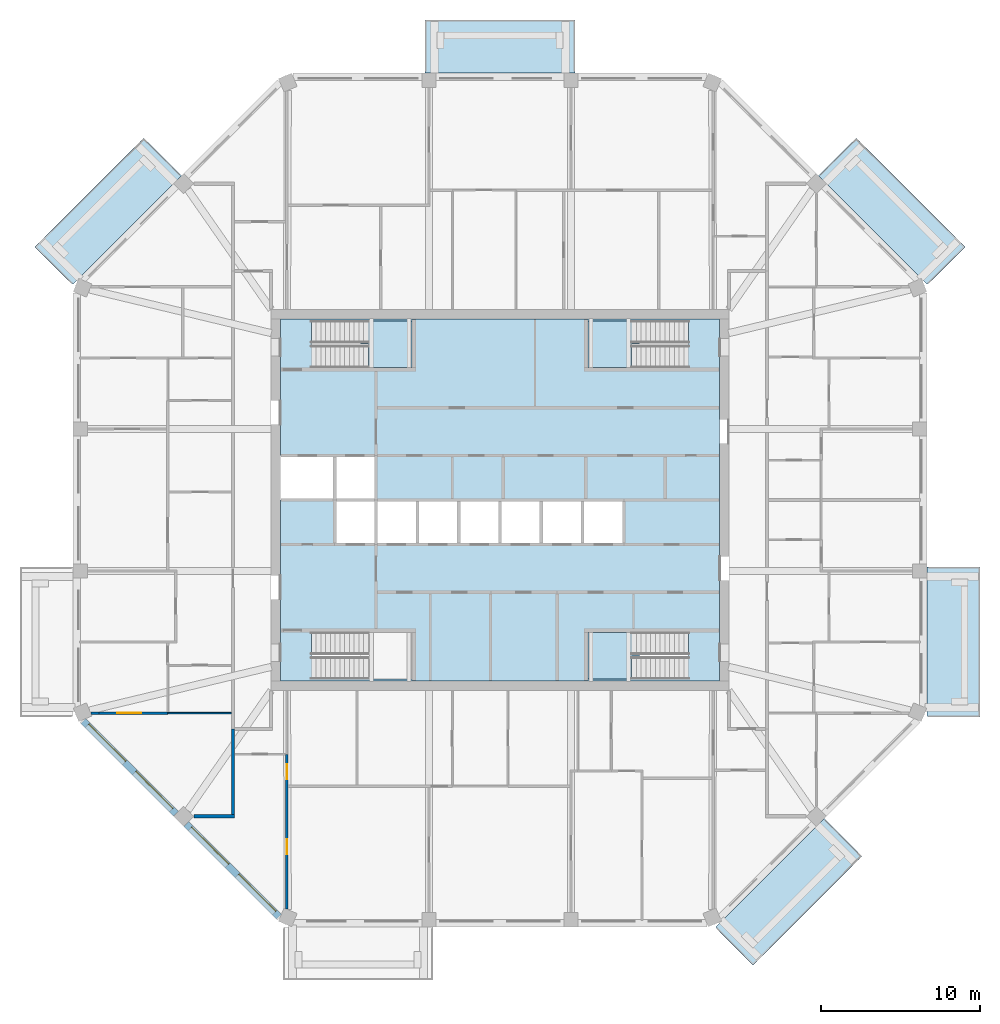
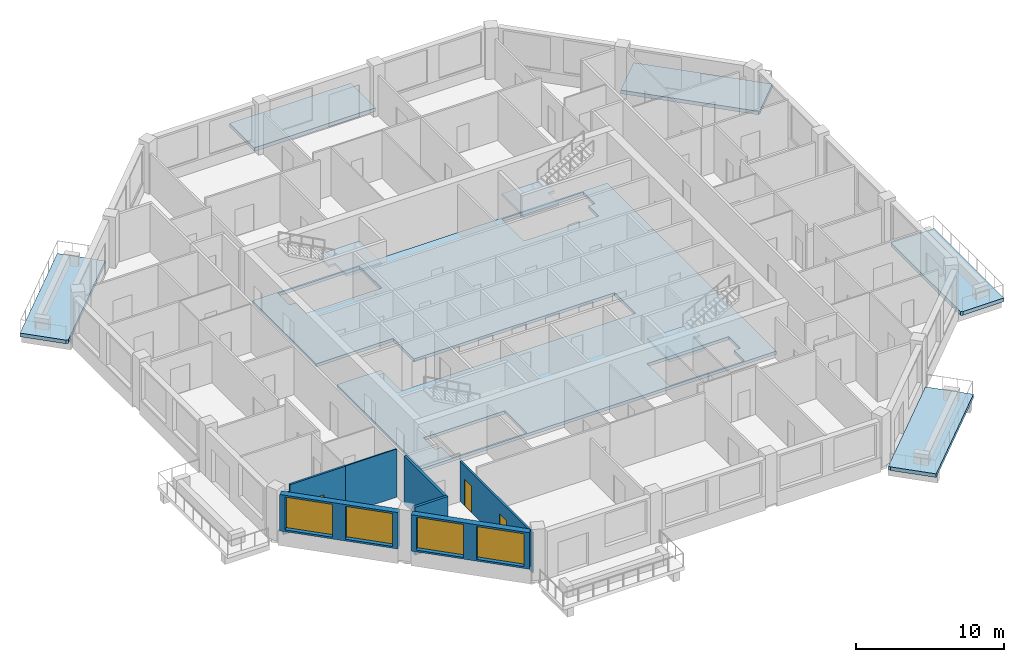
# One storey, part 2 of 11: 9 slabs, 8 walls, 4 windows, 3 doors, 7 openings, 3 elements without a shape of their own.
"""IFC4 building model written with IfcOpenShell, lengths in metres."""

import ifcopenshell
import ifcopenshell.guid

model = None  # the IFC model being written
_history = None  # IfcOwnerHistory: only IFC2X3 demands one
_inside = {}  # id of a spatial element -> (the spatial element, [elements in it])
_under = {}  # id of a project, library or spatial element -> (it, [spatial elements below it])
_declared = {}  # id of a project -> (the project, [libraries it declares])
_typed = {}  # id of a type object -> (the type object, [elements of that type])
_made_of = {}  # id of a material, layer set ... -> (it, [elements and type objects made of it])


def new_model(schema):
    """Start an empty IFC model of exactly this schema.

    Asked for "IFC4X3", IfcOpenShell would pick the latest addendum, in which some entities
    have other attributes; the version numbers below select the first issue.
    IFC2X3 requires an IfcOwnerHistory on every rooted entity: one is made here for all.
    """
    global model, _history
    if schema == "IFC4X3":
        model = ifcopenshell.file(schema_version=(4, 3, 0, 0))
    else:
        model = ifcopenshell.file(schema=schema)
    _inside.clear()
    _under.clear()
    _declared.clear()
    _typed.clear()
    _made_of.clear()
    _history = None
    if model.schema == "IFC2X3":
        org = make("IfcOrganization", Name="unknown")
        user = make(
            "IfcPersonAndOrganization",
            ThePerson=make("IfcPerson", FamilyName="unknown"),
            TheOrganization=org,
        )
        app = make(
            "IfcApplication",
            ApplicationDeveloper=org,
            Version="unknown",
            ApplicationFullName="unknown",
            ApplicationIdentifier="unknown",
        )
        _history = make(
            "IfcOwnerHistory",
            OwningUser=user,
            OwningApplication=app,
            ChangeAction="ADDED",
            CreationDate=0,
        )
    return model


def make(cls, **values):
    """One entity of the class cls with the attributes given. An attribute that is None is left unset."""
    return model.create_entity(
        cls, **{name: value for name, value in values.items() if value is not None}
    )


def rooted(cls, **values):
    """An entity with a GlobalId (a new one), such as an element, a storey or a relation."""
    return make(cls, GlobalId=ifcopenshell.guid.new(), OwnerHistory=_history, **values)


def si_unit(unit_type, name, prefix=None):
    """IfcSIUnit, for example si_unit("LENGTHUNIT", "METRE", prefix="MILLI")."""
    return make("IfcSIUnit", UnitType=unit_type, Prefix=prefix, Name=name)


def assignment(units):
    """IfcUnitAssignment: the units of a project."""
    return None if units is None else make("IfcUnitAssignment", Units=units)


def point(xyz):
    """IfcCartesianPoint."""
    return None if xyz is None else make("IfcCartesianPoint", Coordinates=xyz)


def direction(xyz):
    """IfcDirection."""
    return None if xyz is None else make("IfcDirection", DirectionRatios=xyz)


def frame(location, z_axis=None, x_axis=None):
    """IfcAxis2Placement3D, a coordinate frame: its origin and axes. An axis left out is left unset."""
    return make(
        "IfcAxis2Placement3D",
        Location=point(location),
        Axis=direction(z_axis),
        RefDirection=direction(x_axis),
    )


def frame_2d(location, x_axis=None):
    """IfcAxis2Placement2D, a coordinate frame in the plane: its origin and x axis."""
    return make(
        "IfcAxis2Placement2D", Location=point(location), RefDirection=direction(x_axis)
    )


def origin():
    """The frame at (0, 0, 0) with its axes left unset."""
    return frame((0.0, 0.0, 0.0))


def place(relative_to, where):
    """IfcLocalPlacement: puts the frame where relative to a parent placement (None: the world)."""
    return make(
        "IfcLocalPlacement", PlacementRelTo=relative_to, RelativePlacement=where
    )


def context(
    kind, dimensions, precision=None, world=None, true_north=None, identifier=None
):
    """IfcGeometricRepresentationContext, for example the 3D "Model" context."""
    return make(
        "IfcGeometricRepresentationContext",
        ContextIdentifier=identifier,
        ContextType=kind,
        CoordinateSpaceDimension=dimensions,
        Precision=precision,
        WorldCoordinateSystem=world,
        TrueNorth=true_north,
    )


def subcontext(parent, identifier, kind, view, scale=None):
    """IfcGeometricRepresentationSubContext, for example "Body" below "Model"."""
    return make(
        "IfcGeometricRepresentationSubContext",
        ContextIdentifier=identifier,
        ContextType=kind,
        ParentContext=parent,
        TargetScale=scale,
        TargetView=view,
    )


def project(units=None, contexts=None):
    """IfcProject with its units and contexts."""
    return rooted(
        "IfcProject",
        Name="project",
        RepresentationContexts=contexts,
        UnitsInContext=assignment(units),
    )


def spatial(cls, under=None, at=None, **own):
    """A site, building, storey or space (cls), placed at a placement, below another one or the project."""
    s = rooted(cls, ObjectPlacement=at, **own)
    if under is not None:
        _under.setdefault(under.id(), (under, []))[1].append(s)
    return s


def polyline(points):
    """IfcPolyline through the points."""
    return make("IfcPolyline", Points=[point(p) for p in points])


def profile(cls, at=None, kind="AREA", **sizes):
    """A parametric profile (cls). Its sizes go by their IFC names, for example OverallWidth=200.0."""
    return make(cls, ProfileType=kind, Position=at, **sizes)


def rectangle(**sizes):
    """IfcRectangleProfileDef."""
    return profile("IfcRectangleProfileDef", **sizes)


def outline(outer, holes=None, kind="AREA"):
    """IfcArbitraryClosedProfileDef: a profile drawn as a closed curve; with holes, ...WithVoids."""
    if holes is None:
        return make("IfcArbitraryClosedProfileDef", ProfileType=kind, OuterCurve=outer)
    return make(
        "IfcArbitraryProfileDefWithVoids",
        ProfileType=kind,
        OuterCurve=outer,
        InnerCurves=holes,
    )


def extrude(swept, where, along, depth):
    """IfcExtrudedAreaSolid: the profile swept, set in the frame where, extruded along a direction by depth."""
    return make(
        "IfcExtrudedAreaSolid",
        SweptArea=swept,
        Position=where,
        ExtrudedDirection=direction(along),
        Depth=depth,
    )


def shape(context_of_items, identifier, shape_type, items):
    """IfcShapeRepresentation: the items that make up one representation, for example the "Body"."""
    return make(
        "IfcShapeRepresentation",
        ContextOfItems=context_of_items,
        RepresentationIdentifier=identifier,
        RepresentationType=shape_type,
        Items=items,
    )


def material(Name=None, Category=None):
    """IfcMaterial."""
    return make("IfcMaterial", Name=Name, Category=Category)


def layer(
    of_material, thickness, ventilated=None, Name=None, Category=None, Priority=None
):
    """IfcMaterialLayer: one layer of a wall or slab, of a material (None: an air gap)."""
    return make(
        "IfcMaterialLayer",
        Material=of_material,
        LayerThickness=thickness,
        IsVentilated=ventilated,
        Name=Name,
        Category=Category,
        Priority=Priority,
    )


def layer_set(layers, Name=None):
    """IfcMaterialLayerSet."""
    return make("IfcMaterialLayerSet", MaterialLayers=layers, LayerSetName=Name)


def made_of(thing, what):
    """Note that an element or type object is made of a material, layer set ...; save() writes the relation."""
    if what is not None:
        _made_of.setdefault(what.id(), (what, []))[1].append(thing)
    return thing


def type_object(cls, material=None, **own):
    """A type object (cls), such as IfcWallType, which elements share."""
    return made_of(rooted(cls, **own), material)


def element(
    cls,
    number,
    at=None,
    inside=None,
    cuts=None,
    type_object=None,
    material=None,
    context=None,
    identifier="Body",
    shape_type=None,
    held_by="IfcProductDefinitionShape",
    body=None,
    shapes=None,
    **own,
):
    """One element of the class cls, such as IfcWall. Its Tag is "e" and its number.

    at: its placement. inside: the storey or other place that contains it. cuts: it is an
    opening in that element (IfcRelVoidsElement). A single representation is given by context,
    identifier, shape_type and body (its items); several are given by shapes. held_by: the class
    of the entity that holds the representations. save() writes the other relations.
    """
    e = rooted(cls, Tag="e%d" % number, ObjectPlacement=at, **own)
    if body is not None:
        shapes = [shape(context, identifier, shape_type, body)]
    if shapes is not None:
        e.Representation = make(held_by, Representations=shapes)
    if inside is not None:
        _inside.setdefault(inside.id(), (inside, []))[1].append(e)
    if cuts is not None:
        rooted(
            "IfcRelVoidsElement", RelatingBuildingElement=cuts, RelatedOpeningElement=e
        )
    if type_object is not None:
        _typed.setdefault(type_object.id(), (type_object, []))[1].append(e)
    return made_of(e, material)


def fill(opening, filler):
    """IfcRelFillsElement: the door or window that sits in an opening."""
    return rooted(
        "IfcRelFillsElement",
        RelatingOpeningElement=opening,
        RelatedBuildingElement=filler,
    )


def aggregate(whole, parts):
    """IfcRelAggregates: a whole, such as a stair, and the parts it consists of."""
    return rooted("IfcRelAggregates", RelatingObject=whole, RelatedObjects=parts)


def save(model, path):
    """Write the relations noted so far, then the file.

    IfcRelAggregates (storeys below a building ...), IfcRelContainedInSpatialStructure (elements
    in a storey), IfcRelDefinesByType, IfcRelAssociatesMaterial and IfcRelDeclares: one each for
    every whole, place, type object, material and project.
    """
    for whole, parts in _under.values():
        aggregate(whole, parts)
    for where, things in _inside.values():
        rooted(
            "IfcRelContainedInSpatialStructure",
            RelatedElements=things,
            RelatingStructure=where,
        )
    for kind, things in _typed.values():
        rooted("IfcRelDefinesByType", RelatedObjects=things, RelatingType=kind)
    for what, things in _made_of.values():
        rooted("IfcRelAssociatesMaterial", RelatedObjects=things, RelatingMaterial=what)
    for by, libraries in _declared.values():
        rooted("IfcRelDeclares", RelatingContext=by, RelatedDefinitions=libraries)
    model.write(path)


model = new_model("IFC4")

# Units and contexts
model_context = context("Model", 3, precision=1e-05, world=origin(), true_north=direction((0.0, 1.0)))
body_context = subcontext(model_context, "Body", "Model", "MODEL_VIEW")
ifc_project = project(units=[si_unit("LENGTHUNIT", "METRE"), si_unit("AREAUNIT", "SQUARE_METRE"), si_unit("VOLUMEUNIT", "CUBIC_METRE"), si_unit("PLANEANGLEUNIT", "RADIAN"), si_unit("MASSUNIT", "GRAM", prefix="KILO")], contexts=[model_context])

# Site, building, storey
site_placement = place(None, origin())
site = spatial("IfcSite", under=ifc_project, at=site_placement, CompositionType="ELEMENT")
building_placement = place(site_placement, origin())
building = spatial("IfcBuilding", under=site, at=building_placement, Name="Msitu Wima Residences", CompositionType="ELEMENT")
storey_placement = place(building_placement, frame((0.0, 0.0, 268.5)))
storey = spatial("IfcBuildingStorey", under=building, at=storey_placement, Name="L62", CompositionType="ELEMENT", Elevation=268.5)

# Slabs
ifc_material_1 = material(Name="Concrete C40/50", Category="concrete")
ifc_layer_1 = layer(ifc_material_1, 0.300048828125)
ifc_layer_set_1 = layer_set([ifc_layer_1], Name="Concrete C40/50")
slab_type_1 = type_object("IfcSlabType", Name="Balcony slab BS300", PredefinedType="FLOOR", material=ifc_layer_set_1)
slab_1_placement = place(storey_placement, frame((0.0, 0.0, -0.300048828125)))
element("IfcSlab", 1, at=slab_1_placement, inside=storey, type_object=slab_type_1, Name="Balcony E0 L62", PredefinedType="FLOOR", context=body_context, shape_type="SweptSolid", body=[
    extrude(outline(polyline([(26.85009765625, -13.105224609375), (26.85009765625, -13.105224609375), (26.85009765625, -4.918701171875), (26.85009765625, -4.21875), (30.199951171875, -4.21875), (30.199951171875, -13.656005859375), (27.003662109375, -13.656005859375), (26.85009765625, -13.59228515625), (26.85009765625, -13.105224609375), (26.85009765625, -13.105224609375)])), origin(), (0.0, 0.0, 1.0), 0.300048828125),
])
slab_2_placement = place(storey_placement, frame((0.0, 0.0, -0.300048828125)))
element("IfcSlab", 2, at=slab_2_placement, inside=storey, type_object=slab_type_1, Name="Balcony NE0 L62", PredefinedType="FLOOR", context=body_context, shape_type="SweptSolid", body=[
    extrude(outline(polyline([(26.505615234375, 13.936767578125), (26.505615234375, 13.936767578125), (20.04443359375, 20.39794921875), (22.4130859375, 22.766845703125), (29.263671875, 15.916015625), (27.003662109375, 13.656005859375), (26.85009765625, 13.59228515625), (26.505615234375, 13.936767578125), (26.505615234375, 13.936767578125)])), origin(), (0.0, 0.0, 1.0), 0.300048828125),
])
slab_3_placement = place(storey_placement, frame((0.0, 0.0, -0.300048828125)))
element("IfcSlab", 3, at=slab_3_placement, inside=storey, type_object=slab_type_1, Name="Balcony N1 L62", PredefinedType="FLOOR", context=body_context, shape_type="SweptSolid", body=[
    extrude(outline(polyline([(4.0185546875, 26.85009765625), (-4.0185546875, 26.85009765625), (-4.71875, 26.85009765625), (-4.71875, 30.199951171875), (4.71875, 30.199951171875), (4.71875, 26.85009765625), (4.0185546875, 26.85009765625)])), origin(), (0.0, 0.0, 1.0), 0.300048828125),
])
slab_4_placement = place(storey_placement, frame((0.0, 0.0, -0.300048828125)))
element("IfcSlab", 4, at=slab_4_placement, inside=storey, type_object=slab_type_1, Name="Balcony NW1 L62", PredefinedType="FLOOR", context=body_context, shape_type="SweptSolid", body=[
    extrude(outline(polyline([(-26.505615234375, 13.936767578125), (-26.505615234375, 13.936767578125), (-26.85009765625, 13.59228515625), (-27.003662109375, 13.656005859375), (-29.263671875, 15.916015625), (-22.4130859375, 22.766845703125), (-20.04443359375, 20.39794921875), (-26.505615234375, 13.936767578125), (-26.505615234375, 13.936767578125)])), origin(), (0.0, 0.0, 1.0), 0.300048828125),
])
slab_5_placement = place(storey_placement, frame((0.0, 0.0, -0.300048828125)))
element("IfcSlab", 5, at=slab_5_placement, inside=storey, type_object=slab_type_1, Name="Balcony SE0 L62", PredefinedType="FLOOR", context=body_context, shape_type="SweptSolid", body=[
    extrude(outline(polyline([(13.936767578125, -26.505615234375), (13.936767578125, -26.505615234375), (20.39794921875, -20.04443359375), (22.766845703125, -22.4130859375), (15.916015625, -29.263671875), (13.656005859375, -27.003662109375), (13.59228515625, -26.85009765625), (13.936767578125, -26.505615234375), (13.936767578125, -26.505615234375)])), origin(), (0.0, 0.0, 1.0), 0.300048828125),
])
ifc_layer_2 = layer(ifc_material_1, 0.25)
ifc_layer_set_2 = layer_set([ifc_layer_2], Name="Concrete C40/50")
slab_type_2 = type_object("IfcSlabType", Name="Core floor CF250", PredefinedType="FLOOR", material=ifc_layer_set_2)
slab_6_placement = place(storey_placement, frame((0.0, 0.0, -0.25)))
element("IfcSlab", 6, at=slab_6_placement, inside=storey, type_object=slab_type_2, Name="Core floor", PredefinedType="FLOOR", context=body_context, shape_type="SweptSolid", body=[
    extrude(outline(polyline([(-13.800048828125, 11.39990234375), (-13.800048828125, 2.800048828125), (-10.39990234375, 2.800048828125), (-7.800048828125, 2.800048828125), (-7.800048828125, 0.0), (-5.199951171875, 0.0), (-2.60009765625, 0.0), (0.0, 0.0), (2.60009765625, 0.0), (5.199951171875, 0.0), (7.800048828125, 0.0), (7.800048828125, -2.800048828125), (5.199951171875, -2.800048828125), (2.60009765625, -2.800048828125), (0.0, -2.800048828125), (-2.60009765625, -2.800048828125), (-5.199951171875, -2.800048828125), (-7.800048828125, -2.800048828125), (-10.39990234375, -2.800048828125), (-10.39990234375, 0.0), (-13.800048828125, 0.0), (-13.800048828125, -11.39990234375), (13.800048828125, -11.39990234375), (13.800048828125, 11.39990234375), (-13.800048828125, 11.39990234375)]), holes=[polyline([(-11.375, -11.27490234375), (-11.375, -9.875), (-11.87451171875, -9.875), (-11.87451171875, -8.324951171875), (-5.52490234375, -8.324951171875), (-5.52490234375, -11.27490234375), (-11.375, -11.27490234375)]), polyline([(-11.375, 8.324951171875), (-11.375, 9.72509765625), (-11.87451171875, 9.72509765625), (-11.87451171875, 11.27490234375), (-5.52490234375, 11.27490234375), (-5.52490234375, 8.324951171875), (-11.375, 8.324951171875)]), polyline([(11.375, -9.875), (11.375, -11.27490234375), (5.52490234375, -11.27490234375), (5.52490234375, -8.324951171875), (11.87451171875, -8.324951171875), (11.87451171875, -9.875), (11.375, -9.875)]), polyline([(11.375, 9.72509765625), (11.375, 8.324951171875), (5.52490234375, 8.324951171875), (5.52490234375, 11.27490234375), (11.87451171875, 11.27490234375), (11.87451171875, 9.72509765625), (11.375, 9.72509765625)])]), origin(), (0.0, 0.0, 1.0), 0.25),
])

# Stair, slab
stair_type = type_object("IfcStairType", Name="Exit stair ES1615-140", PredefinedType="HALF_TURN_STAIR", material=ifc_material_1)
stair_1_placement = place(storey_placement, origin())
stair_1 = element("IfcStair", 7, at=stair_1_placement, inside=storey, type_object=stair_type, Name="Exit stair 1", PredefinedType="HALF_TURN_STAIR")
ifc_layer_3 = layer(ifc_material_1, 0.199951171875)
ifc_layer_set_3 = layer_set([ifc_layer_3], Name="Concrete C40/50")
slab_type_3 = type_object("IfcSlabType", Name="Stair landing SL200", PredefinedType="LANDING", material=ifc_layer_set_3)
slab_7_placement = place(storey_placement, frame((0.0, 0.0, 1.89990234375)))
slab_7 = element("IfcSlab", 8, at=slab_7_placement, type_object=slab_type_3, Name="S1 landing 1", PredefinedType="LANDING", context=body_context, shape_type="SweptSolid", body=[
    extrude(outline(polyline([(-5.52490234375, 8.324951171875), (-8.275390625, 8.324951171875), (-8.275390625, 9.800048828125), (-8.77490234375, 9.800048828125), (-8.77490234375, 11.27490234375), (-5.52490234375, 11.27490234375), (-5.52490234375, 8.324951171875)])), origin(), (0.0, 0.0, 1.0), 0.2001953125),
])
aggregate(stair_1, [slab_7])

stair_2_placement = place(storey_placement, origin())
stair_2 = element("IfcStair", 9, at=stair_2_placement, inside=storey, type_object=stair_type, Name="Exit stair 3", PredefinedType="HALF_TURN_STAIR")
slab_8_placement = place(storey_placement, frame((0.0, 0.0, 1.89990234375)))
slab_8 = element("IfcSlab", 10, at=slab_8_placement, type_object=slab_type_3, Name="S3 landing 1", PredefinedType="LANDING", context=body_context, shape_type="SweptSolid", body=[
    extrude(outline(polyline([(5.52490234375, 8.324951171875), (8.275390625, 8.324951171875), (8.275390625, 9.800048828125), (8.77490234375, 9.800048828125), (8.77490234375, 11.27490234375), (5.52490234375, 11.27490234375), (5.52490234375, 8.324951171875)])), origin(), (0.0, 0.0, 1.0), 0.2001953125),
])
aggregate(stair_2, [slab_8])

stair_3_placement = place(storey_placement, origin())
stair_3 = element("IfcStair", 11, at=stair_3_placement, inside=storey, type_object=stair_type, Name="Exit stair 4", PredefinedType="HALF_TURN_STAIR")
slab_9_placement = place(storey_placement, frame((0.0, 0.0, 1.89990234375)))
slab_9 = element("IfcSlab", 12, at=slab_9_placement, type_object=slab_type_3, Name="S4 landing 1", PredefinedType="LANDING", context=body_context, shape_type="SweptSolid", body=[
    extrude(outline(polyline([(5.52490234375, -11.27490234375), (8.275390625, -11.27490234375), (8.275390625, -9.800048828125), (8.77490234375, -9.800048828125), (8.77490234375, -8.324951171875), (5.52490234375, -8.324951171875), (5.52490234375, -11.27490234375)])), origin(), (0.0, 0.0, 1.0), 0.2001953125),
])
aggregate(stair_3, [slab_9])

# Wall, openings, windows
ifc_material_2 = material(Name="Brick (red buff mix)", Category="masonry")
ifc_layer_4 = layer(ifc_material_2, 0.449951171875)
ifc_layer_set_4 = layer_set([ifc_layer_4], Name="Brick (red buff mix)")
wall_type_1 = type_object("IfcWallType", Name="Brick infill wall BW450", PredefinedType="SOLIDWALL", material=ifc_layer_set_4)
wall_1_placement = place(storey_placement, frame((-26.214599609375, -13.909423828125, 0.89990234375), z_axis=(0.0, 0.0, 1.0), x_axis=(0.707106781187, -0.707106781187, 0.0)))
wall_1 = element("IfcWall", 13, at=wall_1_placement, inside=storey, type_object=wall_type_1, Name="Brick infill wall L62 SW0", PredefinedType="SOLIDWALL", context=body_context, shape_type="SweptSolid", body=[
    extrude(rectangle(XDim=8.251220703125, YDim=0.449951171875, at=frame_2d((4.12548828125, 0.0))), origin(), (0.0, 0.0, 1.0), 3.0),
])
opening_1_placement = place(wall_1_placement, frame((0.37548828125, 0.0, 0.14990234375)))
opening_1 = element("IfcOpeningElement", 14, at=opening_1_placement, cuts=wall_1, Name="Opening W60-62.025", PredefinedType="OPENING", context=body_context, shape_type="SweptSolid", body=[
    extrude(rectangle(XDim=3.300048828125, YDim=2.699951171875, at=frame_2d((1.64990234375, 1.35009765625))), frame((0.0, 0.23486328125, 0.0), z_axis=(0.0, -1.0, 0.0), x_axis=(1.0, 0.0, 0.0)), (0.0, 0.0, 1.0), 0.469970703125),
])
opening_2_placement = place(wall_1_placement, frame((4.57568359375, 0.0, 0.14990234375)))
opening_2 = element("IfcOpeningElement", 15, at=opening_2_placement, cuts=wall_1, Name="Opening W60-62.026", PredefinedType="OPENING", context=body_context, shape_type="SweptSolid", body=[
    extrude(rectangle(XDim=3.300048828125, YDim=2.699951171875, at=frame_2d((1.64990234375, 1.35009765625))), frame((0.0, 0.23486328125, 0.0), z_axis=(0.0, -1.0, 0.0), x_axis=(1.0, 0.0, 0.0)), (0.0, 0.0, 1.0), 0.469970703125),
])
ifc_material_3 = material(Name="Anodised aluminium, bronze finish, clear low-emissivity double glazing", Category="aluminium")
window_type = type_object("IfcWindowType", Name="Window W3300x2700", PartitioningType="DOUBLE_PANEL_VERTICAL", PredefinedType="WINDOW", material=ifc_material_3)
window_1_placement = place(opening_1_placement, origin())
window_1 = element("IfcWindow", 16, at=window_1_placement, inside=storey, type_object=window_type, Name="Window L62 SW0.1", OverallHeight=2.699951171875, OverallWidth=3.300048828125, PartitioningType="SINGLE_PANEL", PredefinedType="WINDOW", context=body_context, shape_type="SweptSolid", body=[
    extrude(rectangle(XDim=3.300048828125, YDim=2.699951171875, at=frame_2d((1.64990234375, 1.35009765625))), frame((0.0, 0.135009765625, 0.0), z_axis=(0.0, -1.0, 0.0), x_axis=(1.0, 0.0, 0.0)), (0.0, 0.0, 1.0), 0.06005859375),
])
fill(opening_1, window_1)
window_2_placement = place(opening_2_placement, origin())
window_2 = element("IfcWindow", 17, at=window_2_placement, inside=storey, type_object=window_type, Name="Window L62 SW0.2", OverallHeight=2.699951171875, OverallWidth=3.300048828125, PartitioningType="SINGLE_PANEL", PredefinedType="WINDOW", context=body_context, shape_type="SweptSolid", body=[
    extrude(rectangle(XDim=3.300048828125, YDim=2.699951171875, at=frame_2d((1.64990234375, 1.35009765625))), frame((0.0, 0.135009765625, 0.0), z_axis=(0.0, -1.0, 0.0), x_axis=(1.0, 0.0, 0.0)), (0.0, 0.0, 1.0), 0.06005859375),
])
fill(opening_2, window_2)

wall_2_placement = place(storey_placement, frame((-19.743896484375, -20.380126953125, 0.89990234375), z_axis=(0.0, 0.0, 1.0), x_axis=(0.707106781187, -0.707106781187, 0.0)))
wall_2 = element("IfcWall", 18, at=wall_2_placement, inside=storey, type_object=wall_type_1, Name="Brick infill wall L62 SW1", PredefinedType="SOLIDWALL", context=body_context, shape_type="SweptSolid", body=[
    extrude(rectangle(XDim=8.251220703125, YDim=0.449951171875, at=frame_2d((4.12548828125, 0.0))), origin(), (0.0, 0.0, 1.0), 3.0),
])
opening_3_placement = place(wall_2_placement, frame((0.37548828125, 0.0, 0.14990234375)))
opening_3 = element("IfcOpeningElement", 19, at=opening_3_placement, cuts=wall_2, Name="Opening W60-62.027", PredefinedType="OPENING", context=body_context, shape_type="SweptSolid", body=[
    extrude(rectangle(XDim=3.300048828125, YDim=2.699951171875, at=frame_2d((1.64990234375, 1.35009765625))), frame((0.0, 0.23486328125, 0.0), z_axis=(0.0, -1.0, 0.0), x_axis=(1.0, 0.0, 0.0)), (0.0, 0.0, 1.0), 0.469970703125),
])
opening_4_placement = place(wall_2_placement, frame((4.57568359375, 0.0, 0.14990234375)))
opening_4 = element("IfcOpeningElement", 20, at=opening_4_placement, cuts=wall_2, Name="Opening W60-62.028", PredefinedType="OPENING", context=body_context, shape_type="SweptSolid", body=[
    extrude(rectangle(XDim=3.300048828125, YDim=2.699951171875, at=frame_2d((1.64990234375, 1.35009765625))), frame((0.0, 0.23486328125, 0.0), z_axis=(0.0, -1.0, 0.0), x_axis=(1.0, 0.0, 0.0)), (0.0, 0.0, 1.0), 0.469970703125),
])
window_3_placement = place(opening_3_placement, origin())
window_3 = element("IfcWindow", 21, at=window_3_placement, inside=storey, type_object=window_type, Name="Window L62 SW1.1", OverallHeight=2.699951171875, OverallWidth=3.300048828125, PartitioningType="SINGLE_PANEL", PredefinedType="WINDOW", context=body_context, shape_type="SweptSolid", body=[
    extrude(rectangle(XDim=3.300048828125, YDim=2.699951171875, at=frame_2d((1.64990234375, 1.35009765625))), frame((0.0, 0.135009765625, 0.0), z_axis=(0.0, -1.0, 0.0), x_axis=(1.0, 0.0, 0.0)), (0.0, 0.0, 1.0), 0.06005859375),
])
fill(opening_3, window_3)
window_4_placement = place(opening_4_placement, origin())
window_4 = element("IfcWindow", 22, at=window_4_placement, inside=storey, type_object=window_type, Name="Window L62 SW1.2", OverallHeight=2.699951171875, OverallWidth=3.300048828125, PartitioningType="SINGLE_PANEL", PredefinedType="WINDOW", context=body_context, shape_type="SweptSolid", body=[
    extrude(rectangle(XDim=3.300048828125, YDim=2.699951171875, at=frame_2d((1.64990234375, 1.35009765625))), frame((0.0, 0.135009765625, 0.0), z_axis=(0.0, -1.0, 0.0), x_axis=(1.0, 0.0, 0.0)), (0.0, 0.0, 1.0), 0.06005859375),
])
fill(opening_4, window_4)

# Wall
ifc_material_4 = material(Name="Plaster")
ifc_layer_5 = layer(ifc_material_4, 0.011962890625, Name="Plaster")
ifc_material_5 = material(Name="Concrete blockwork", Category="masonry")
ifc_layer_6 = layer(ifc_material_5, 0.1259765625, Name="Concrete blockwork")
ifc_layer_7 = layer(ifc_material_4, 0.011962890625, Name="Plaster")
ifc_layer_set_5 = layer_set([ifc_layer_5, ifc_layer_6, ifc_layer_7], Name="Concrete blockwork")
wall_type_2 = type_object("IfcWallType", Name="Partition PW150", PredefinedType="PARTITIONING", material=ifc_layer_set_5)
wall_3_placement = place(storey_placement, frame((-25.731201171875, -13.406005859375, 0.0), z_axis=(0.0, 0.0, 1.0), x_axis=(1.0, 0.0, 0.0)))
element("IfcWall", 23, at=wall_3_placement, inside=storey, type_object=wall_type_2, Name="Partition", PredefinedType="PARTITIONING", context=body_context, shape_type="SweptSolid", body=[
    extrude(rectangle(XDim=0.507080078125, YDim=0.14990234375, at=frame_2d((0.25341796875, 0.0))), origin(), (0.0, 0.0, 1.0), 3.35009765625),
])

# Wall, opening, door
wall_4_placement = place(storey_placement, frame((-25.22412109375, -13.406005859375, 0.0), z_axis=(0.0, 0.0, 1.0), x_axis=(1.0, 0.0, 0.0)))
wall_4 = element("IfcWall", 24, at=wall_4_placement, inside=storey, type_object=wall_type_2, Name="Partition", PredefinedType="PARTITIONING", context=body_context, shape_type="SweptSolid", body=[
    extrude(rectangle(XDim=4.32421875, YDim=0.14990234375, at=frame_2d((2.162109375, 0.0))), origin(), (0.0, 0.0, 1.0), 3.949951171875),
])
opening_5_placement = place(wall_4_placement, frame((1.142822265625, 0.0, 0.0)))
opening_5 = element("IfcOpeningElement", 25, at=opening_5_placement, cuts=wall_4, Name="Opening D60-62.047", PredefinedType="OPENING", context=body_context, shape_type="SweptSolid", body=[
    extrude(rectangle(XDim=1.5, YDim=2.199951171875, at=frame_2d((0.75, 1.10009765625))), frame((0.0, 0.0849609375, 0.0), z_axis=(0.0, -1.0, 0.0), x_axis=(1.0, 0.0, 0.0)), (0.0, 0.0, 1.0), 0.169921875),
])
ifc_material_6 = material(Name="Timber double door", Category="wood")
door_type_1 = type_object("IfcDoorType", Name="Double door D04 1500x2200", OperationType="DOUBLE_DOOR_SINGLE_SWING", PredefinedType="DOOR", material=ifc_material_6)
door_1_placement = place(opening_5_placement, origin())
door_1 = element("IfcDoor", 26, at=door_1_placement, inside=storey, type_object=door_type_1, Name="Double door", OperationType="DOUBLE_DOOR_SINGLE_SWING", OverallHeight=2.199951171875, OverallWidth=1.5, PredefinedType="DOOR", context=body_context, shape_type="SweptSolid", body=[
    extrude(rectangle(XDim=1.5, YDim=2.199951171875, at=frame_2d((0.75, 1.10009765625))), frame((0.0, 0.02490234375, 0.0), z_axis=(0.0, -1.0, 0.0), x_axis=(1.0, 0.0, 0.0)), (0.0, 0.0, 1.0), 0.050048828125),
])
fill(opening_5, door_1)

# Wall, openings, doors
wall_5_placement = place(storey_placement, frame((-13.406005859375, -25.731201171875, 0.0), z_axis=(0.0, 0.0, 1.0), x_axis=(0.0, 1.0, 0.0)))
wall_5 = element("IfcWall", 27, at=wall_5_placement, inside=storey, type_object=wall_type_2, Name="Partition", PredefinedType="PARTITIONING", context=body_context, shape_type="SweptSolid", body=[
    extrude(rectangle(XDim=9.731201171875, YDim=0.14990234375, at=frame_2d((4.86572265625, 0.0))), origin(), (0.0, 0.0, 1.0), 3.300048828125),
])
opening_6_placement = place(wall_5_placement, frame((3.449951171875, 0.0, 0.0)))
opening_6 = element("IfcOpeningElement", 28, at=opening_6_placement, cuts=wall_5, Name="Opening D60-62.054", PredefinedType="OPENING", context=body_context, shape_type="SweptSolid", body=[
    extrude(rectangle(XDim=0.949951171875, YDim=2.199951171875, at=frame_2d((0.47509765625, 1.10009765625))), frame((0.0, 0.0849609375, 0.0), z_axis=(0.0, -1.0, 0.0), x_axis=(1.0, 0.0, 0.0)), (0.0, 0.0, 1.0), 0.169921875),
])
opening_7_placement = place(wall_5_placement, frame((8.14990234375, 0.0, 0.0)))
opening_7 = element("IfcOpeningElement", 29, at=opening_7_placement, cuts=wall_5, Name="Opening D60-62.055", PredefinedType="OPENING", context=body_context, shape_type="SweptSolid", body=[
    extrude(rectangle(XDim=0.949951171875, YDim=2.199951171875, at=frame_2d((0.47509765625, 1.10009765625))), frame((0.0, 0.0849609375, 0.0), z_axis=(0.0, -1.0, 0.0), x_axis=(1.0, 0.0, 0.0)), (0.0, 0.0, 1.0), 0.169921875),
])
ifc_material_7 = material(Name="Timber flush door", Category="wood")
door_type_2 = type_object("IfcDoorType", Name="Room door D12 950x2200", OperationType="SINGLE_SWING_LEFT", PredefinedType="DOOR", material=ifc_material_7)
door_2_placement = place(opening_6_placement, origin())
door_2 = element("IfcDoor", 30, at=door_2_placement, inside=storey, type_object=door_type_2, Name="Room door", OperationType="SINGLE_SWING_RIGHT", OverallHeight=2.199951171875, OverallWidth=0.949951171875, PredefinedType="DOOR", context=body_context, shape_type="SweptSolid", body=[
    extrude(rectangle(XDim=0.949951171875, YDim=2.199951171875, at=frame_2d((0.47509765625, 1.10009765625))), frame((0.0, 0.02490234375, 0.0), z_axis=(0.0, -1.0, 0.0), x_axis=(1.0, 0.0, 0.0)), (0.0, 0.0, 1.0), 0.050048828125),
])
fill(opening_6, door_2)
door_3_placement = place(opening_7_placement, origin())
door_3 = element("IfcDoor", 31, at=door_3_placement, inside=storey, type_object=door_type_2, Name="Room door", OperationType="SINGLE_SWING_RIGHT", OverallHeight=2.199951171875, OverallWidth=0.949951171875, PredefinedType="DOOR", context=body_context, shape_type="SweptSolid", body=[
    extrude(rectangle(XDim=0.949951171875, YDim=2.199951171875, at=frame_2d((0.47509765625, 1.10009765625))), frame((0.0, 0.02490234375, 0.0), z_axis=(0.0, -1.0, 0.0), x_axis=(1.0, 0.0, 0.0)), (0.0, 0.0, 1.0), 0.050048828125),
])
fill(opening_7, door_3)

# Walls
ifc_layer_8 = layer(ifc_material_4, 0.011962890625, Name="Plaster")
ifc_material_8 = material(Name="Dense concrete blockwork", Category="masonry")
ifc_layer_9 = layer(ifc_material_8, 0.176025390625, Name="Dense concrete blockwork")
ifc_layer_10 = layer(ifc_material_4, 0.011962890625, Name="Plaster")
ifc_layer_set_6 = layer_set([ifc_layer_8, ifc_layer_9, ifc_layer_10], Name="Dense concrete blockwork")
wall_type_3 = type_object("IfcWallType", Name="Party wall PW200", PredefinedType="PARTITIONING", material=ifc_layer_set_6)
wall_6_placement = place(storey_placement, frame((-19.2666015625, -19.90283203125, 0.0), z_axis=(0.0, 0.0, 1.0), x_axis=(1.0, 0.0, 0.0)))
element("IfcWall", 32, at=wall_6_placement, inside=storey, type_object=wall_type_3, Name="Party wall", PredefinedType="PARTITIONING", context=body_context, shape_type="SweptSolid", body=[
    extrude(rectangle(XDim=2.566650390625, YDim=0.199951171875, at=frame_2d((1.283203125, 0.0))), origin(), (0.0, 0.0, 1.0), 3.949951171875),
])
wall_7_placement = place(storey_placement, frame((-16.800048828125, -19.802978515625, 0.0), z_axis=(0.0, 0.0, 1.0), x_axis=(0.0, 1.0, 0.0)))
element("IfcWall", 33, at=wall_7_placement, inside=storey, type_object=wall_type_3, Name="Party wall", PredefinedType="PARTITIONING", context=body_context, shape_type="SweptSolid", body=[
    extrude(rectangle(XDim=5.403076171875, YDim=0.199951171875, at=frame_2d((2.70166015625, 0.0))), origin(), (0.0, 0.0, 1.0), 3.949951171875),
])
ifc_material_9 = material(Name="Ceramic tiles")
ifc_layer_11 = layer(ifc_material_9, 0.008056640625, Name="Ceramic tiles")
ifc_material_10 = material(Name="Moisture-resistant board")
ifc_layer_12 = layer(ifc_material_10, 0.012451171875, Name="Moisture-resistant board")
ifc_material_11 = material(Name="Light-gauge stud framing with mineral wool")
ifc_layer_13 = layer(ifc_material_11, 0.06689453125, Name="Light-gauge stud framing with mineral wool")
ifc_layer_14 = layer(ifc_material_10, 0.012451171875, Name="Moisture-resistant board")
ifc_layer_set_7 = layer_set([ifc_layer_11, ifc_layer_12, ifc_layer_13, ifc_layer_14], Name="Light-gauge stud framing with mineral wool")
wall_type_4 = type_object("IfcWallType", Name="Wet wall PW100", PredefinedType="PARTITIONING", material=ifc_layer_set_7)
wall_8_placement = place(storey_placement, frame((-20.89990234375, -13.406005859375, 0.0), z_axis=(0.0, 0.0, 1.0), x_axis=(1.0, 0.0, 0.0)))
element("IfcWall", 34, at=wall_8_placement, inside=storey, type_object=wall_type_4, Name="Wet wall", PredefinedType="PARTITIONING", context=body_context, shape_type="SweptSolid", body=[
    extrude(rectangle(XDim=4.0, YDim=0.10009765625, at=frame_2d((2.0, 0.0))), origin(), (0.0, 0.0, 1.0), 3.949951171875),
])

save(model, "model.ifc")
